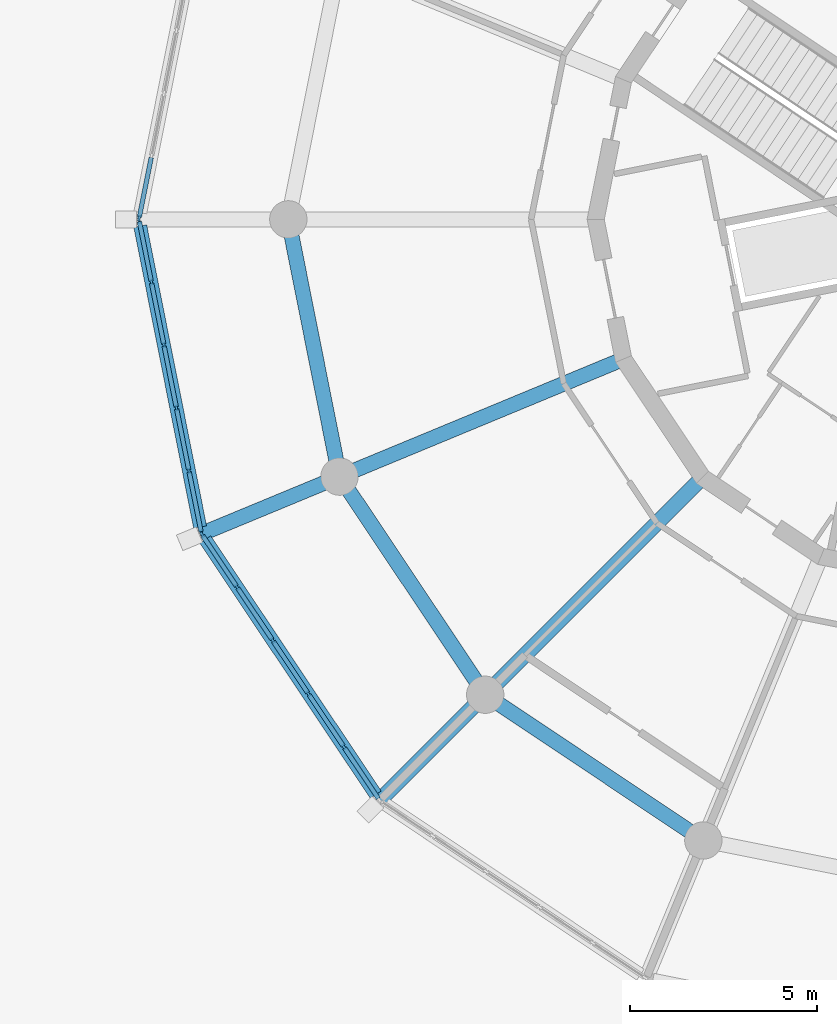
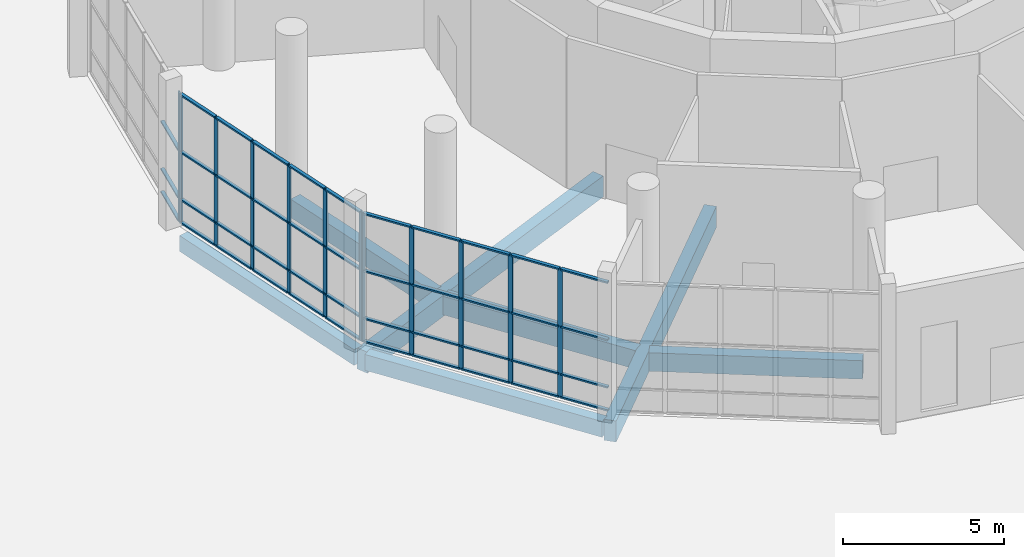
# One storey, part 64 of 226: 55 members, 7 beams, 3 elements without a shape of their own.
"""IFC4 building model written with IfcOpenShell, lengths in metres."""

from ifc_helpers import new_model, si_unit, direction, frame, origin, origin_2d, place, context, subcontext, project, spatial, rectangle, extrude, material, material_profile, profile_set, type_object, element, aggregate, save


model = new_model("IFC4")

# Units and contexts
model_context = context("Model", 3, precision=1e-05, world=origin(), true_north=direction((0.0, 1.0)))
body_context = subcontext(model_context, "Body", "Model", "MODEL_VIEW")
ifc_project = project(units=[si_unit("LENGTHUNIT", "METRE"), si_unit("AREAUNIT", "SQUARE_METRE"), si_unit("VOLUMEUNIT", "CUBIC_METRE"), si_unit("PLANEANGLEUNIT", "RADIAN"), si_unit("MASSUNIT", "GRAM", prefix="KILO")], contexts=[model_context])

# Site, building, storey
site_placement = place(None, origin())
site = spatial("IfcSite", under=ifc_project, at=site_placement, CompositionType="ELEMENT")
building_placement = place(site_placement, origin())
building = spatial("IfcBuilding", under=site, at=building_placement, Name="Ceibo Conservatory and Research Tower", CompositionType="ELEMENT")
storey_placement = place(building_placement, origin())
storey = spatial("IfcBuildingStorey", under=building, at=storey_placement, Name="L00", CompositionType="ELEMENT", Elevation=0.0)

# Curtain wall, member
ifc_material_1 = material(Name="Aluminium and glass", Category="aluminium")
curtain_wall_type = type_object("IfcCurtainWallType", Name="Curtain wall CW1", PredefinedType="NOTDEFINED", material=ifc_material_1)
curtain_wall_1_placement = place(storey_placement, origin())
curtain_wall_1 = element("IfcCurtainWall", 1, at=curtain_wall_1_placement, inside=storey, type_object=curtain_wall_type, Name="CW-00.08", PredefinedType="NOTDEFINED")
ifc_material_2 = material(Name="Aluminium", Category="aluminium")
ifc_material_profile_1 = material_profile(ifc_material_2, rectangle(XDim=0.06005859375, YDim=0.159912109375, at=origin_2d()), Name="Aluminium 60 x 160")
ifc_profile_set_1 = profile_set([ifc_material_profile_1], Name="Aluminium")
member_type_1 = type_object("IfcMemberType", Name="Aluminium mullion 60 x 160", PredefinedType="MULLION", material=ifc_profile_set_1)
member_1_placement = place(storey_placement, frame((26.005859375, 120.029541015625, 0.0), z_axis=(0.0, 0.0, 1.0), x_axis=(0.980785288916, -0.195090279221, 0.0)))
member_1 = element("IfcMember", 2, at=member_1_placement, type_object=member_type_1, Name="CW-00.08 mullion 6", PredefinedType="MULLION", context=body_context, shape_type="SweptSolid", body=[
    extrude(rectangle(XDim=0.06005859375, YDim=0.159912109375, at=origin_2d()), origin(), (0.0, 0.0, 1.0), 4.89990234375),
])

# Curtain wall, members
curtain_wall_2_placement = place(storey_placement, origin())
curtain_wall_2 = element("IfcCurtainWall", 3, at=curtain_wall_2_placement, inside=storey, type_object=curtain_wall_type, Name="CW-00.09", PredefinedType="NOTDEFINED")
member_2_placement = place(storey_placement, frame((26.005859375, 119.970458984375, 0.0), z_axis=(0.0, 0.0, 1.0), x_axis=(0.980785288916, 0.195090279221, 0.0)))
member_2 = element("IfcMember", 4, at=member_2_placement, type_object=member_type_1, Name="CW-00.09 mullion 1", PredefinedType="MULLION", context=body_context, shape_type="SweptSolid", body=[
    extrude(rectangle(XDim=0.06005859375, YDim=0.159912109375, at=origin_2d()), origin(), (0.0, 0.0, 1.0), 4.89990234375),
])
member_3_placement = place(storey_placement, frame((26.3349609375, 118.316162109375, 0.0), z_axis=(0.0, 0.0, 1.0), x_axis=(0.980785288916, 0.195090279221, 0.0)))
member_3 = element("IfcMember", 5, at=member_3_placement, type_object=member_type_1, Name="CW-00.09 mullion 2", PredefinedType="MULLION", context=body_context, shape_type="SweptSolid", body=[
    extrude(rectangle(XDim=0.06005859375, YDim=0.159912109375, at=origin_2d()), origin(), (0.0, 0.0, 1.0), 4.89990234375),
])
member_4_placement = place(storey_placement, frame((26.669921875, 116.63232421875, 0.0), z_axis=(0.0, 0.0, 1.0), x_axis=(0.980785288916, 0.195090279221, 0.0)))
member_4 = element("IfcMember", 6, at=member_4_placement, type_object=member_type_1, Name="CW-00.09 mullion 3", PredefinedType="MULLION", context=body_context, shape_type="SweptSolid", body=[
    extrude(rectangle(XDim=0.06005859375, YDim=0.159912109375, at=origin_2d()), origin(), (0.0, 0.0, 1.0), 4.89990234375),
])
member_5_placement = place(storey_placement, frame((27.0048828125, 114.948486328125, 0.0), z_axis=(0.0, 0.0, 1.0), x_axis=(0.980785288916, 0.195090279221, 0.0)))
member_5 = element("IfcMember", 7, at=member_5_placement, type_object=member_type_1, Name="CW-00.09 mullion 4", PredefinedType="MULLION", context=body_context, shape_type="SweptSolid", body=[
    extrude(rectangle(XDim=0.06005859375, YDim=0.159912109375, at=origin_2d()), origin(), (0.0, 0.0, 1.0), 4.89990234375),
])
member_6_placement = place(storey_placement, frame((27.339599609375, 113.264892578125, 0.0), z_axis=(0.0, 0.0, 1.0), x_axis=(0.980785288916, 0.195090279221, 0.0)))
member_6 = element("IfcMember", 8, at=member_6_placement, type_object=member_type_1, Name="CW-00.09 mullion 5", PredefinedType="MULLION", context=body_context, shape_type="SweptSolid", body=[
    extrude(rectangle(XDim=0.06005859375, YDim=0.159912109375, at=origin_2d()), origin(), (0.0, 0.0, 1.0), 4.89990234375),
])
member_7_placement = place(storey_placement, frame((27.668701171875, 111.6103515625, 0.0), z_axis=(0.0, 0.0, 1.0), x_axis=(0.980785288916, 0.195090279221, 0.0)))
member_7 = element("IfcMember", 9, at=member_7_placement, type_object=member_type_1, Name="CW-00.09 mullion 6", PredefinedType="MULLION", context=body_context, shape_type="SweptSolid", body=[
    extrude(rectangle(XDim=0.06005859375, YDim=0.159912109375, at=origin_2d()), origin(), (0.0, 0.0, 1.0), 4.89990234375),
])

curtain_wall_3_placement = place(storey_placement, origin())
curtain_wall_3 = element("IfcCurtainWall", 10, at=curtain_wall_3_placement, inside=storey, type_object=curtain_wall_type, Name="CW-00.10", PredefinedType="NOTDEFINED")
member_8_placement = place(storey_placement, frame((27.69140625, 111.555908203125, 0.0), z_axis=(0.0, 0.0, 1.0), x_axis=(0.831469562724, 0.555570307219, 0.0)))
member_8 = element("IfcMember", 11, at=member_8_placement, type_object=member_type_1, Name="CW-00.10 mullion 1", PredefinedType="MULLION", context=body_context, shape_type="SweptSolid", body=[
    extrude(rectangle(XDim=0.06005859375, YDim=0.159912109375, at=origin_2d()), origin(), (0.0, 0.0, 1.0), 4.89990234375),
])
member_9_placement = place(storey_placement, frame((28.62841796875, 110.153564453125, 0.0), z_axis=(0.0, 0.0, 1.0), x_axis=(0.831469562724, 0.555570307219, 0.0)))
member_9 = element("IfcMember", 12, at=member_9_placement, type_object=member_type_1, Name="CW-00.10 mullion 2", PredefinedType="MULLION", context=body_context, shape_type="SweptSolid", body=[
    extrude(rectangle(XDim=0.06005859375, YDim=0.159912109375, at=origin_2d()), origin(), (0.0, 0.0, 1.0), 4.89990234375),
])
member_10_placement = place(storey_placement, frame((29.582275390625, 108.72607421875, 0.0), z_axis=(0.0, 0.0, 1.0), x_axis=(0.831469562724, 0.555570307219, 0.0)))
member_10 = element("IfcMember", 13, at=member_10_placement, type_object=member_type_1, Name="CW-00.10 mullion 3", PredefinedType="MULLION", context=body_context, shape_type="SweptSolid", body=[
    extrude(rectangle(XDim=0.06005859375, YDim=0.159912109375, at=origin_2d()), origin(), (0.0, 0.0, 1.0), 4.89990234375),
])
member_11_placement = place(storey_placement, frame((30.5361328125, 107.298583984375, 0.0), z_axis=(0.0, 0.0, 1.0), x_axis=(0.831469562724, 0.555570307219, 0.0)))
member_11 = element("IfcMember", 14, at=member_11_placement, type_object=member_type_1, Name="CW-00.10 mullion 4", PredefinedType="MULLION", context=body_context, shape_type="SweptSolid", body=[
    extrude(rectangle(XDim=0.06005859375, YDim=0.159912109375, at=origin_2d()), origin(), (0.0, 0.0, 1.0), 4.89990234375),
])
member_12_placement = place(storey_placement, frame((31.48974609375, 105.87109375, 0.0), z_axis=(0.0, 0.0, 1.0), x_axis=(0.831469562724, 0.555570307219, 0.0)))
member_12 = element("IfcMember", 15, at=member_12_placement, type_object=member_type_1, Name="CW-00.10 mullion 5", PredefinedType="MULLION", context=body_context, shape_type="SweptSolid", body=[
    extrude(rectangle(XDim=0.06005859375, YDim=0.159912109375, at=origin_2d()), origin(), (0.0, 0.0, 1.0), 4.89990234375),
])

# Member
ifc_material_profile_2 = material_profile(ifc_material_2, rectangle(XDim=0.1201171875, YDim=0.06005859375, at=origin_2d()), Name="Aluminium 60 x 120")
ifc_profile_set_2 = profile_set([ifc_material_profile_2], Name="Aluminium")
member_type_2 = type_object("IfcMemberType", Name="Aluminium transom 60 x 120", PredefinedType="USERDEFINED", material=ifc_profile_set_2)
member_13_placement = place(storey_placement, frame((26.3291015625, 121.654296875, 0.030029296875), z_axis=(-0.195105867559, -0.980782188074, 0.0), x_axis=(0.980782188074, -0.195105867559, 0.0)))
member_13 = element("IfcMember", 16, at=member_13_placement, type_object=member_type_2, Name="CW-00.08 transom 5.1", ObjectType="TRANSOM", PredefinedType="USERDEFINED", context=body_context, shape_type="SweptSolid", body=[
    extrude(rectangle(XDim=0.1201171875, YDim=0.06005859375, at=origin_2d()), origin(), (0.0, 0.0, 1.0), 1.626708984375),
])

member_14_placement = place(storey_placement, frame((26.3291015625, 121.654296875, 0.89990234375), z_axis=(-0.195105867559, -0.980782188074, 0.0), x_axis=(0.980782188074, -0.195105867559, 0.0)))
member_14 = element("IfcMember", 17, at=member_14_placement, type_object=member_type_2, Name="CW-00.08 transom 5.2", ObjectType="TRANSOM", PredefinedType="USERDEFINED", context=body_context, shape_type="SweptSolid", body=[
    extrude(rectangle(XDim=0.1201171875, YDim=0.06005859375, at=origin_2d()), origin(), (0.0, 0.0, 1.0), 1.626708984375),
])

member_15_placement = place(storey_placement, frame((26.3291015625, 121.654296875, 2.699951171875), z_axis=(-0.195105867559, -0.980782188074, 0.0), x_axis=(0.980782188074, -0.195105867559, 0.0)))
member_15 = element("IfcMember", 18, at=member_15_placement, type_object=member_type_2, Name="CW-00.08 transom 5.3", ObjectType="TRANSOM", PredefinedType="USERDEFINED", context=body_context, shape_type="SweptSolid", body=[
    extrude(rectangle(XDim=0.1201171875, YDim=0.06005859375, at=origin_2d()), origin(), (0.0, 0.0, 1.0), 1.626708984375),
])

aggregate(curtain_wall_1, [member_1, member_13, member_14, member_15])

member_16_placement = place(storey_placement, frame((26.01171875, 119.941162109375, 0.030029296875), z_axis=(0.195105867559, -0.980782188074, 0.0), x_axis=(0.980782188074, 0.195105867559, 0.0)))
member_16 = element("IfcMember", 19, at=member_16_placement, type_object=member_type_2, Name="CW-00.09 transom 1.1", ObjectType="TRANSOM", PredefinedType="USERDEFINED", context=body_context, shape_type="SweptSolid", body=[
    extrude(rectangle(XDim=0.1201171875, YDim=0.06005859375, at=origin_2d()), origin(), (0.0, 0.0, 1.0), 1.626708984375),
])

member_17_placement = place(storey_placement, frame((26.01171875, 119.941162109375, 0.89990234375), z_axis=(0.195105867559, -0.980782188074, 0.0), x_axis=(0.980782188074, 0.195105867559, 0.0)))
member_17 = element("IfcMember", 20, at=member_17_placement, type_object=member_type_2, Name="CW-00.09 transom 1.2", ObjectType="TRANSOM", PredefinedType="USERDEFINED", context=body_context, shape_type="SweptSolid", body=[
    extrude(rectangle(XDim=0.1201171875, YDim=0.06005859375, at=origin_2d()), origin(), (0.0, 0.0, 1.0), 1.626708984375),
])

member_18_placement = place(storey_placement, frame((26.01171875, 119.941162109375, 2.699951171875), z_axis=(0.195105867559, -0.980782188074, 0.0), x_axis=(0.980782188074, 0.195105867559, 0.0)))
member_18 = element("IfcMember", 21, at=member_18_placement, type_object=member_type_2, Name="CW-00.09 transom 1.3", ObjectType="TRANSOM", PredefinedType="USERDEFINED", context=body_context, shape_type="SweptSolid", body=[
    extrude(rectangle(XDim=0.1201171875, YDim=0.06005859375, at=origin_2d()), origin(), (0.0, 0.0, 1.0), 1.626708984375),
])

member_19_placement = place(storey_placement, frame((26.01171875, 119.941162109375, 4.8701171875), z_axis=(0.195105867559, -0.980782188074, 0.0), x_axis=(0.980782188074, 0.195105867559, 0.0)))
member_19 = element("IfcMember", 22, at=member_19_placement, type_object=member_type_2, Name="CW-00.09 transom 1.4", ObjectType="TRANSOM", PredefinedType="USERDEFINED", context=body_context, shape_type="SweptSolid", body=[
    extrude(rectangle(XDim=0.1201171875, YDim=0.06005859375, at=origin_2d()), origin(), (0.0, 0.0, 1.0), 1.626708984375),
])

member_20_placement = place(storey_placement, frame((26.3408203125, 118.286865234375, 0.030029296875), z_axis=(0.195095890146, -0.980784172817, 0.0), x_axis=(0.980784172817, 0.195095890146, 0.0)))
member_20 = element("IfcMember", 23, at=member_20_placement, type_object=member_type_2, Name="CW-00.09 transom 2.1", ObjectType="TRANSOM", PredefinedType="USERDEFINED", context=body_context, shape_type="SweptSolid", body=[
    extrude(rectangle(XDim=0.1201171875, YDim=0.06005859375, at=origin_2d()), origin(), (0.0, 0.0, 1.0), 1.65673828125),
])

member_21_placement = place(storey_placement, frame((26.3408203125, 118.286865234375, 0.89990234375), z_axis=(0.195095890146, -0.980784172817, 0.0), x_axis=(0.980784172817, 0.195095890146, 0.0)))
member_21 = element("IfcMember", 24, at=member_21_placement, type_object=member_type_2, Name="CW-00.09 transom 2.2", ObjectType="TRANSOM", PredefinedType="USERDEFINED", context=body_context, shape_type="SweptSolid", body=[
    extrude(rectangle(XDim=0.1201171875, YDim=0.06005859375, at=origin_2d()), origin(), (0.0, 0.0, 1.0), 1.65673828125),
])

member_22_placement = place(storey_placement, frame((26.3408203125, 118.286865234375, 2.699951171875), z_axis=(0.195095890146, -0.980784172817, 0.0), x_axis=(0.980784172817, 0.195095890146, 0.0)))
member_22 = element("IfcMember", 25, at=member_22_placement, type_object=member_type_2, Name="CW-00.09 transom 2.3", ObjectType="TRANSOM", PredefinedType="USERDEFINED", context=body_context, shape_type="SweptSolid", body=[
    extrude(rectangle(XDim=0.1201171875, YDim=0.06005859375, at=origin_2d()), origin(), (0.0, 0.0, 1.0), 1.65673828125),
])

member_23_placement = place(storey_placement, frame((26.3408203125, 118.286865234375, 4.8701171875), z_axis=(0.195095890146, -0.980784172817, 0.0), x_axis=(0.980784172817, 0.195095890146, 0.0)))
member_23 = element("IfcMember", 26, at=member_23_placement, type_object=member_type_2, Name="CW-00.09 transom 2.4", ObjectType="TRANSOM", PredefinedType="USERDEFINED", context=body_context, shape_type="SweptSolid", body=[
    extrude(rectangle(XDim=0.1201171875, YDim=0.06005859375, at=origin_2d()), origin(), (0.0, 0.0, 1.0), 1.65673828125),
])

member_24_placement = place(storey_placement, frame((26.67578125, 116.60302734375, 0.030029296875), z_axis=(0.195095890146, -0.980784172817, 0.0), x_axis=(0.980784172817, 0.195095890146, 0.0)))
member_24 = element("IfcMember", 27, at=member_24_placement, type_object=member_type_2, Name="CW-00.09 transom 3.1", ObjectType="TRANSOM", PredefinedType="USERDEFINED", context=body_context, shape_type="SweptSolid", body=[
    extrude(rectangle(XDim=0.1201171875, YDim=0.06005859375, at=origin_2d()), origin(), (0.0, 0.0, 1.0), 1.65673828125),
])

member_25_placement = place(storey_placement, frame((26.67578125, 116.60302734375, 0.89990234375), z_axis=(0.195095890146, -0.980784172817, 0.0), x_axis=(0.980784172817, 0.195095890146, 0.0)))
member_25 = element("IfcMember", 28, at=member_25_placement, type_object=member_type_2, Name="CW-00.09 transom 3.2", ObjectType="TRANSOM", PredefinedType="USERDEFINED", context=body_context, shape_type="SweptSolid", body=[
    extrude(rectangle(XDim=0.1201171875, YDim=0.06005859375, at=origin_2d()), origin(), (0.0, 0.0, 1.0), 1.65673828125),
])

member_26_placement = place(storey_placement, frame((26.67578125, 116.60302734375, 2.699951171875), z_axis=(0.195095890146, -0.980784172817, 0.0), x_axis=(0.980784172817, 0.195095890146, 0.0)))
member_26 = element("IfcMember", 29, at=member_26_placement, type_object=member_type_2, Name="CW-00.09 transom 3.3", ObjectType="TRANSOM", PredefinedType="USERDEFINED", context=body_context, shape_type="SweptSolid", body=[
    extrude(rectangle(XDim=0.1201171875, YDim=0.06005859375, at=origin_2d()), origin(), (0.0, 0.0, 1.0), 1.65673828125),
])

member_27_placement = place(storey_placement, frame((26.67578125, 116.60302734375, 4.8701171875), z_axis=(0.195095890146, -0.980784172817, 0.0), x_axis=(0.980784172817, 0.195095890146, 0.0)))
member_27 = element("IfcMember", 30, at=member_27_placement, type_object=member_type_2, Name="CW-00.09 transom 3.4", ObjectType="TRANSOM", PredefinedType="USERDEFINED", context=body_context, shape_type="SweptSolid", body=[
    extrude(rectangle(XDim=0.1201171875, YDim=0.06005859375, at=origin_2d()), origin(), (0.0, 0.0, 1.0), 1.65673828125),
])

member_28_placement = place(storey_placement, frame((27.0107421875, 114.919189453125, 0.030029296875), z_axis=(0.195095890146, -0.980784172817, 0.0), x_axis=(0.980784172817, 0.195095890146, 0.0)))
member_28 = element("IfcMember", 31, at=member_28_placement, type_object=member_type_2, Name="CW-00.09 transom 4.1", ObjectType="TRANSOM", PredefinedType="USERDEFINED", context=body_context, shape_type="SweptSolid", body=[
    extrude(rectangle(XDim=0.1201171875, YDim=0.06005859375, at=origin_2d()), origin(), (0.0, 0.0, 1.0), 1.65673828125),
])

member_29_placement = place(storey_placement, frame((27.0107421875, 114.919189453125, 0.89990234375), z_axis=(0.195095890146, -0.980784172817, 0.0), x_axis=(0.980784172817, 0.195095890146, 0.0)))
member_29 = element("IfcMember", 32, at=member_29_placement, type_object=member_type_2, Name="CW-00.09 transom 4.2", ObjectType="TRANSOM", PredefinedType="USERDEFINED", context=body_context, shape_type="SweptSolid", body=[
    extrude(rectangle(XDim=0.1201171875, YDim=0.06005859375, at=origin_2d()), origin(), (0.0, 0.0, 1.0), 1.65673828125),
])

member_30_placement = place(storey_placement, frame((27.0107421875, 114.919189453125, 2.699951171875), z_axis=(0.195095890146, -0.980784172817, 0.0), x_axis=(0.980784172817, 0.195095890146, 0.0)))
member_30 = element("IfcMember", 33, at=member_30_placement, type_object=member_type_2, Name="CW-00.09 transom 4.3", ObjectType="TRANSOM", PredefinedType="USERDEFINED", context=body_context, shape_type="SweptSolid", body=[
    extrude(rectangle(XDim=0.1201171875, YDim=0.06005859375, at=origin_2d()), origin(), (0.0, 0.0, 1.0), 1.65673828125),
])

member_31_placement = place(storey_placement, frame((27.0107421875, 114.919189453125, 4.8701171875), z_axis=(0.195095890146, -0.980784172817, 0.0), x_axis=(0.980784172817, 0.195095890146, 0.0)))
member_31 = element("IfcMember", 34, at=member_31_placement, type_object=member_type_2, Name="CW-00.09 transom 4.4", ObjectType="TRANSOM", PredefinedType="USERDEFINED", context=body_context, shape_type="SweptSolid", body=[
    extrude(rectangle(XDim=0.1201171875, YDim=0.06005859375, at=origin_2d()), origin(), (0.0, 0.0, 1.0), 1.65673828125),
])

member_32_placement = place(storey_placement, frame((27.345458984375, 113.2353515625, 0.030029296875), z_axis=(0.195105867559, -0.980782188074, 0.0), x_axis=(0.980782188074, 0.195105867559, 0.0)))
member_32 = element("IfcMember", 35, at=member_32_placement, type_object=member_type_2, Name="CW-00.09 transom 5.1", ObjectType="TRANSOM", PredefinedType="USERDEFINED", context=body_context, shape_type="SweptSolid", body=[
    extrude(rectangle(XDim=0.1201171875, YDim=0.06005859375, at=origin_2d()), origin(), (0.0, 0.0, 1.0), 1.626708984375),
])

member_33_placement = place(storey_placement, frame((27.345458984375, 113.2353515625, 0.89990234375), z_axis=(0.195105867559, -0.980782188074, 0.0), x_axis=(0.980782188074, 0.195105867559, 0.0)))
member_33 = element("IfcMember", 36, at=member_33_placement, type_object=member_type_2, Name="CW-00.09 transom 5.2", ObjectType="TRANSOM", PredefinedType="USERDEFINED", context=body_context, shape_type="SweptSolid", body=[
    extrude(rectangle(XDim=0.1201171875, YDim=0.06005859375, at=origin_2d()), origin(), (0.0, 0.0, 1.0), 1.626708984375),
])

member_34_placement = place(storey_placement, frame((27.345458984375, 113.2353515625, 2.699951171875), z_axis=(0.195105867559, -0.980782188074, 0.0), x_axis=(0.980782188074, 0.195105867559, 0.0)))
member_34 = element("IfcMember", 37, at=member_34_placement, type_object=member_type_2, Name="CW-00.09 transom 5.3", ObjectType="TRANSOM", PredefinedType="USERDEFINED", context=body_context, shape_type="SweptSolid", body=[
    extrude(rectangle(XDim=0.1201171875, YDim=0.06005859375, at=origin_2d()), origin(), (0.0, 0.0, 1.0), 1.626708984375),
])

member_35_placement = place(storey_placement, frame((27.345458984375, 113.2353515625, 4.8701171875), z_axis=(0.195105867559, -0.980782188074, 0.0), x_axis=(0.980782188074, 0.195105867559, 0.0)))
member_35 = element("IfcMember", 38, at=member_35_placement, type_object=member_type_2, Name="CW-00.09 transom 5.4", ObjectType="TRANSOM", PredefinedType="USERDEFINED", context=body_context, shape_type="SweptSolid", body=[
    extrude(rectangle(XDim=0.1201171875, YDim=0.06005859375, at=origin_2d()), origin(), (0.0, 0.0, 1.0), 1.626708984375),
])

aggregate(curtain_wall_2, [member_2, member_3, member_4, member_5, member_6, member_7, member_16, member_17, member_18, member_19, member_20, member_21, member_22, member_23, member_24, member_25, member_26, member_27, member_28, member_29, member_30, member_31, member_32, member_33, member_34, member_35])

member_36_placement = place(storey_placement, frame((27.7080078125, 111.531005859375, 0.030029296875), z_axis=(0.555600358179, -0.831449482525, 0.0), x_axis=(0.831449482525, 0.555600358179, 0.0)))
member_36 = element("IfcMember", 39, at=member_36_placement, type_object=member_type_2, Name="CW-00.10 transom 1.1", ObjectType="TRANSOM", PredefinedType="USERDEFINED", context=body_context, shape_type="SweptSolid", body=[
    extrude(rectangle(XDim=0.1201171875, YDim=0.06005859375, at=origin_2d()), origin(), (0.0, 0.0, 1.0), 1.626708984375),
])

member_37_placement = place(storey_placement, frame((27.7080078125, 111.531005859375, 0.89990234375), z_axis=(0.555600358179, -0.831449482525, 0.0), x_axis=(0.831449482525, 0.555600358179, 0.0)))
member_37 = element("IfcMember", 40, at=member_37_placement, type_object=member_type_2, Name="CW-00.10 transom 1.2", ObjectType="TRANSOM", PredefinedType="USERDEFINED", context=body_context, shape_type="SweptSolid", body=[
    extrude(rectangle(XDim=0.1201171875, YDim=0.06005859375, at=origin_2d()), origin(), (0.0, 0.0, 1.0), 1.626708984375),
])

member_38_placement = place(storey_placement, frame((27.7080078125, 111.531005859375, 2.699951171875), z_axis=(0.555600358179, -0.831449482525, 0.0), x_axis=(0.831449482525, 0.555600358179, 0.0)))
member_38 = element("IfcMember", 41, at=member_38_placement, type_object=member_type_2, Name="CW-00.10 transom 1.3", ObjectType="TRANSOM", PredefinedType="USERDEFINED", context=body_context, shape_type="SweptSolid", body=[
    extrude(rectangle(XDim=0.1201171875, YDim=0.06005859375, at=origin_2d()), origin(), (0.0, 0.0, 1.0), 1.626708984375),
])

member_39_placement = place(storey_placement, frame((27.7080078125, 111.531005859375, 4.8701171875), z_axis=(0.555600358179, -0.831449482525, 0.0), x_axis=(0.831449482525, 0.555600358179, 0.0)))
member_39 = element("IfcMember", 42, at=member_39_placement, type_object=member_type_2, Name="CW-00.10 transom 1.4", ObjectType="TRANSOM", PredefinedType="USERDEFINED", context=body_context, shape_type="SweptSolid", body=[
    extrude(rectangle(XDim=0.1201171875, YDim=0.06005859375, at=origin_2d()), origin(), (0.0, 0.0, 1.0), 1.626708984375),
])

member_40_placement = place(storey_placement, frame((28.64501953125, 110.128662109375, 0.030029296875), z_axis=(0.555617898073, -0.831437761556, 0.0), x_axis=(0.831437761556, 0.555617898073, 0.0)))
member_40 = element("IfcMember", 43, at=member_40_placement, type_object=member_type_2, Name="CW-00.10 transom 2.1", ObjectType="TRANSOM", PredefinedType="USERDEFINED", context=body_context, shape_type="SweptSolid", body=[
    extrude(rectangle(XDim=0.1201171875, YDim=0.06005859375, at=origin_2d()), origin(), (0.0, 0.0, 1.0), 1.656982421875),
])

member_41_placement = place(storey_placement, frame((28.64501953125, 110.128662109375, 0.89990234375), z_axis=(0.555617898073, -0.831437761556, 0.0), x_axis=(0.831437761556, 0.555617898073, 0.0)))
member_41 = element("IfcMember", 44, at=member_41_placement, type_object=member_type_2, Name="CW-00.10 transom 2.2", ObjectType="TRANSOM", PredefinedType="USERDEFINED", context=body_context, shape_type="SweptSolid", body=[
    extrude(rectangle(XDim=0.1201171875, YDim=0.06005859375, at=origin_2d()), origin(), (0.0, 0.0, 1.0), 1.656982421875),
])

member_42_placement = place(storey_placement, frame((28.64501953125, 110.128662109375, 2.699951171875), z_axis=(0.555617898073, -0.831437761556, 0.0), x_axis=(0.831437761556, 0.555617898073, 0.0)))
member_42 = element("IfcMember", 45, at=member_42_placement, type_object=member_type_2, Name="CW-00.10 transom 2.3", ObjectType="TRANSOM", PredefinedType="USERDEFINED", context=body_context, shape_type="SweptSolid", body=[
    extrude(rectangle(XDim=0.1201171875, YDim=0.06005859375, at=origin_2d()), origin(), (0.0, 0.0, 1.0), 1.656982421875),
])

member_43_placement = place(storey_placement, frame((28.64501953125, 110.128662109375, 4.8701171875), z_axis=(0.555617898073, -0.831437761556, 0.0), x_axis=(0.831437761556, 0.555617898073, 0.0)))
member_43 = element("IfcMember", 46, at=member_43_placement, type_object=member_type_2, Name="CW-00.10 transom 2.4", ObjectType="TRANSOM", PredefinedType="USERDEFINED", context=body_context, shape_type="SweptSolid", body=[
    extrude(rectangle(XDim=0.1201171875, YDim=0.06005859375, at=origin_2d()), origin(), (0.0, 0.0, 1.0), 1.656982421875),
])

member_44_placement = place(storey_placement, frame((29.598876953125, 108.701171875, 0.030029296875), z_axis=(0.555516031308, -0.831505826173, 0.0), x_axis=(0.831505826173, 0.555516031308, 0.0)))
member_44 = element("IfcMember", 47, at=member_44_placement, type_object=member_type_2, Name="CW-00.10 transom 3.1", ObjectType="TRANSOM", PredefinedType="USERDEFINED", context=body_context, shape_type="SweptSolid", body=[
    extrude(rectangle(XDim=0.1201171875, YDim=0.06005859375, at=origin_2d()), origin(), (0.0, 0.0, 1.0), 1.65673828125),
])

member_45_placement = place(storey_placement, frame((29.598876953125, 108.701171875, 0.89990234375), z_axis=(0.555516031308, -0.831505826173, 0.0), x_axis=(0.831505826173, 0.555516031308, 0.0)))
member_45 = element("IfcMember", 48, at=member_45_placement, type_object=member_type_2, Name="CW-00.10 transom 3.2", ObjectType="TRANSOM", PredefinedType="USERDEFINED", context=body_context, shape_type="SweptSolid", body=[
    extrude(rectangle(XDim=0.1201171875, YDim=0.06005859375, at=origin_2d()), origin(), (0.0, 0.0, 1.0), 1.65673828125),
])

member_46_placement = place(storey_placement, frame((29.598876953125, 108.701171875, 2.699951171875), z_axis=(0.555516031308, -0.831505826173, 0.0), x_axis=(0.831505826173, 0.555516031308, 0.0)))
member_46 = element("IfcMember", 49, at=member_46_placement, type_object=member_type_2, Name="CW-00.10 transom 3.3", ObjectType="TRANSOM", PredefinedType="USERDEFINED", context=body_context, shape_type="SweptSolid", body=[
    extrude(rectangle(XDim=0.1201171875, YDim=0.06005859375, at=origin_2d()), origin(), (0.0, 0.0, 1.0), 1.65673828125),
])

member_47_placement = place(storey_placement, frame((29.598876953125, 108.701171875, 4.8701171875), z_axis=(0.555516031308, -0.831505826173, 0.0), x_axis=(0.831505826173, 0.555516031308, 0.0)))
member_47 = element("IfcMember", 50, at=member_47_placement, type_object=member_type_2, Name="CW-00.10 transom 3.4", ObjectType="TRANSOM", PredefinedType="USERDEFINED", context=body_context, shape_type="SweptSolid", body=[
    extrude(rectangle(XDim=0.1201171875, YDim=0.06005859375, at=origin_2d()), origin(), (0.0, 0.0, 1.0), 1.65673828125),
])

member_48_placement = place(storey_placement, frame((30.552734375, 107.273681640625, 0.030029296875), z_axis=(0.555516031308, -0.831505826173, 0.0), x_axis=(0.831505826173, 0.555516031308, 0.0)))
member_48 = element("IfcMember", 51, at=member_48_placement, type_object=member_type_2, Name="CW-00.10 transom 4.1", ObjectType="TRANSOM", PredefinedType="USERDEFINED", context=body_context, shape_type="SweptSolid", body=[
    extrude(rectangle(XDim=0.1201171875, YDim=0.06005859375, at=origin_2d()), origin(), (0.0, 0.0, 1.0), 1.65673828125),
])

member_49_placement = place(storey_placement, frame((30.552734375, 107.273681640625, 0.89990234375), z_axis=(0.555516031308, -0.831505826173, 0.0), x_axis=(0.831505826173, 0.555516031308, 0.0)))
member_49 = element("IfcMember", 52, at=member_49_placement, type_object=member_type_2, Name="CW-00.10 transom 4.2", ObjectType="TRANSOM", PredefinedType="USERDEFINED", context=body_context, shape_type="SweptSolid", body=[
    extrude(rectangle(XDim=0.1201171875, YDim=0.06005859375, at=origin_2d()), origin(), (0.0, 0.0, 1.0), 1.65673828125),
])

member_50_placement = place(storey_placement, frame((30.552734375, 107.273681640625, 2.699951171875), z_axis=(0.555516031308, -0.831505826173, 0.0), x_axis=(0.831505826173, 0.555516031308, 0.0)))
member_50 = element("IfcMember", 53, at=member_50_placement, type_object=member_type_2, Name="CW-00.10 transom 4.3", ObjectType="TRANSOM", PredefinedType="USERDEFINED", context=body_context, shape_type="SweptSolid", body=[
    extrude(rectangle(XDim=0.1201171875, YDim=0.06005859375, at=origin_2d()), origin(), (0.0, 0.0, 1.0), 1.65673828125),
])

member_51_placement = place(storey_placement, frame((30.552734375, 107.273681640625, 4.8701171875), z_axis=(0.555516031308, -0.831505826173, 0.0), x_axis=(0.831505826173, 0.555516031308, 0.0)))
member_51 = element("IfcMember", 54, at=member_51_placement, type_object=member_type_2, Name="CW-00.10 transom 4.4", ObjectType="TRANSOM", PredefinedType="USERDEFINED", context=body_context, shape_type="SweptSolid", body=[
    extrude(rectangle(XDim=0.1201171875, YDim=0.06005859375, at=origin_2d()), origin(), (0.0, 0.0, 1.0), 1.65673828125),
])

member_52_placement = place(storey_placement, frame((31.506591796875, 105.84619140625, 0.030029296875), z_axis=(0.555600358179, -0.831449482525, 0.0), x_axis=(0.831449482525, 0.555600358179, 0.0)))
member_52 = element("IfcMember", 55, at=member_52_placement, type_object=member_type_2, Name="CW-00.10 transom 5.1", ObjectType="TRANSOM", PredefinedType="USERDEFINED", context=body_context, shape_type="SweptSolid", body=[
    extrude(rectangle(XDim=0.1201171875, YDim=0.06005859375, at=origin_2d()), origin(), (0.0, 0.0, 1.0), 1.626708984375),
])

member_53_placement = place(storey_placement, frame((31.506591796875, 105.84619140625, 0.89990234375), z_axis=(0.555600358179, -0.831449482525, 0.0), x_axis=(0.831449482525, 0.555600358179, 0.0)))
member_53 = element("IfcMember", 56, at=member_53_placement, type_object=member_type_2, Name="CW-00.10 transom 5.2", ObjectType="TRANSOM", PredefinedType="USERDEFINED", context=body_context, shape_type="SweptSolid", body=[
    extrude(rectangle(XDim=0.1201171875, YDim=0.06005859375, at=origin_2d()), origin(), (0.0, 0.0, 1.0), 1.626708984375),
])

member_54_placement = place(storey_placement, frame((31.506591796875, 105.84619140625, 2.699951171875), z_axis=(0.555600358179, -0.831449482525, 0.0), x_axis=(0.831449482525, 0.555600358179, 0.0)))
member_54 = element("IfcMember", 57, at=member_54_placement, type_object=member_type_2, Name="CW-00.10 transom 5.3", ObjectType="TRANSOM", PredefinedType="USERDEFINED", context=body_context, shape_type="SweptSolid", body=[
    extrude(rectangle(XDim=0.1201171875, YDim=0.06005859375, at=origin_2d()), origin(), (0.0, 0.0, 1.0), 1.626708984375),
])

member_55_placement = place(storey_placement, frame((31.506591796875, 105.84619140625, 4.8701171875), z_axis=(0.555600358179, -0.831449482525, 0.0), x_axis=(0.831449482525, 0.555600358179, 0.0)))
member_55 = element("IfcMember", 58, at=member_55_placement, type_object=member_type_2, Name="CW-00.10 transom 5.4", ObjectType="TRANSOM", PredefinedType="USERDEFINED", context=body_context, shape_type="SweptSolid", body=[
    extrude(rectangle(XDim=0.1201171875, YDim=0.06005859375, at=origin_2d()), origin(), (0.0, 0.0, 1.0), 1.626708984375),
])

aggregate(curtain_wall_3, [member_8, member_9, member_10, member_11, member_12, member_36, member_37, member_38, member_39, member_40, member_41, member_42, member_43, member_44, member_45, member_46, member_47, member_48, member_49, member_50, member_51, member_52, member_53, member_54, member_55])

# Beams
ifc_material_3 = material(Name="Concrete C35/45", Category="concrete")
ifc_material_profile_3 = material_profile(ifc_material_3, rectangle(XDim=0.35009765625, YDim=0.60009765625, at=origin_2d()), Name="RC 350x600")
ifc_profile_set_3 = profile_set([ifc_material_profile_3], Name="Concrete C35/45")
beam_type_1 = type_object("IfcBeamType", Name="RC beam 350x600 C35", PredefinedType="BEAM", material=ifc_profile_set_3)
beam_1_placement = place(storey_placement, frame((26.035888671875, 119.819580078125, -0.64990234375), z_axis=(0.195076015612, -0.980788126016, 0.0), x_axis=(0.980788126016, 0.195076015612, 0.0)))
element("IfcBeam", 59, at=beam_1_placement, inside=storey, type_object=beam_type_1, Name="Edge beam 09 L00", PredefinedType="BEAM", context=body_context, shape_type="SweptSolid", body=[
    extrude(rectangle(XDim=0.35009765625, YDim=0.60009765625, at=origin_2d()), origin(), (0.0, 0.0, 1.0), 8.21630859375),
])
beam_2_placement = place(storey_placement, frame((27.77685546875, 111.427978515625, -0.64990234375), z_axis=(0.555584480406, -0.831460092327, 0.0), x_axis=(0.831460092327, 0.555584480406, 0.0)))
element("IfcBeam", 60, at=beam_2_placement, inside=storey, type_object=beam_type_1, Name="Edge beam 10 L00", PredefinedType="BEAM", context=body_context, shape_type="SweptSolid", body=[
    extrude(rectangle(XDim=0.35009765625, YDim=0.60009765625, at=origin_2d()), origin(), (0.0, 0.0, 1.0), 8.216064453125),
])
ifc_material_profile_4 = material_profile(ifc_material_3, rectangle(XDim=0.39990234375, YDim=0.699951171875, at=origin_2d()), Name="RC 400x700")
ifc_profile_set_4 = profile_set([ifc_material_profile_4], Name="Concrete C35/45")
beam_type_2 = type_object("IfcBeamType", Name="RC beam 400x700 C35", PredefinedType="BEAM", material=ifc_profile_set_4)
beam_3_placement = place(storey_placement, frame((30.035888671875, 119.819580078125, -0.699951171875), z_axis=(0.19507903146, -0.980787526167, 0.0), x_axis=(0.980787526167, 0.19507903146, 0.0)))
element("IfcBeam", 61, at=beam_3_placement, inside=storey, type_object=beam_type_2, Name="Ring beam 09 L00", PredefinedType="BEAM", context=body_context, shape_type="SweptSolid", body=[
    extrude(rectangle(XDim=0.39990234375, YDim=0.699951171875, at=origin_2d()), origin(), (0.0, 0.0, 1.0), 6.655517578125),
])
for number, where, z_axis, x_axis, name in (
    (62, (31.472412109375, 112.958740234375, -0.699951171875), (0.555571830572, -0.83146854485, 0.0), (0.83146854485, 0.555571830572, 0.0), "Ring beam 10 L00"),
    (63, (35.425048828125, 107.169921875, -0.699951171875), (0.83146854485, -0.555571830572, 0.0), (0.555571830572, 0.83146854485, 0.0), "Ring beam 11 L00"),
):
    element("IfcBeam", number, at=place(storey_placement, frame(where, z_axis=z_axis, x_axis=x_axis)), inside=storey, type_object=beam_type_2, Name=name, PredefinedType="BEAM", context=body_context, shape_type="SweptSolid", body=[
        extrude(rectangle(XDim=0.39990234375, YDim=0.699951171875, at=origin_2d()), origin(), (0.0, 0.0, 1.0), 6.6552734375),
    ])
ifc_material_profile_5 = material_profile(ifc_material_3, rectangle(XDim=0.39990234375, YDim=0.800048828125, at=origin_2d()), Name="RC 400x800")
ifc_profile_set_5 = profile_set([ifc_material_profile_5], Name="Concrete C35/45")
beam_type_3 = type_object("IfcBeamType", Name="RC beam 400x800 C35", PredefinedType="BEAM", material=ifc_profile_set_5)
beam_4_placement = place(storey_placement, frame((38.807373046875, 116.1923828125, -0.75), z_axis=(-0.923874289595, -0.382696089639, 0.0), x_axis=(0.382696089639, -0.923874289595, 0.0)))
element("IfcBeam", 64, at=beam_4_placement, inside=storey, type_object=beam_type_3, Name="Radial beam R10 L00", PredefinedType="BEAM", context=body_context, shape_type="SweptSolid", body=[
    extrude(rectangle(XDim=0.39990234375, YDim=0.800048828125, at=origin_2d()), origin(), (0.0, 0.0, 1.0), 12.045166015625),
])
beam_5_placement = place(storey_placement, frame((40.96435546875, 112.96435546875, -0.75), z_axis=(-0.707106781187, -0.707106781187, 0.0), x_axis=(0.707106781187, -0.707106781187, 0.0)))
element("IfcBeam", 65, at=beam_5_placement, inside=storey, type_object=beam_type_3, Name="Radial beam R11 L00", PredefinedType="BEAM", context=body_context, shape_type="SweptSolid", body=[
    extrude(rectangle(XDim=0.39990234375, YDim=0.800048828125, at=origin_2d()), origin(), (0.0, 0.0, 1.0), 12.044921875),
])

save(model, "model.ifc")
